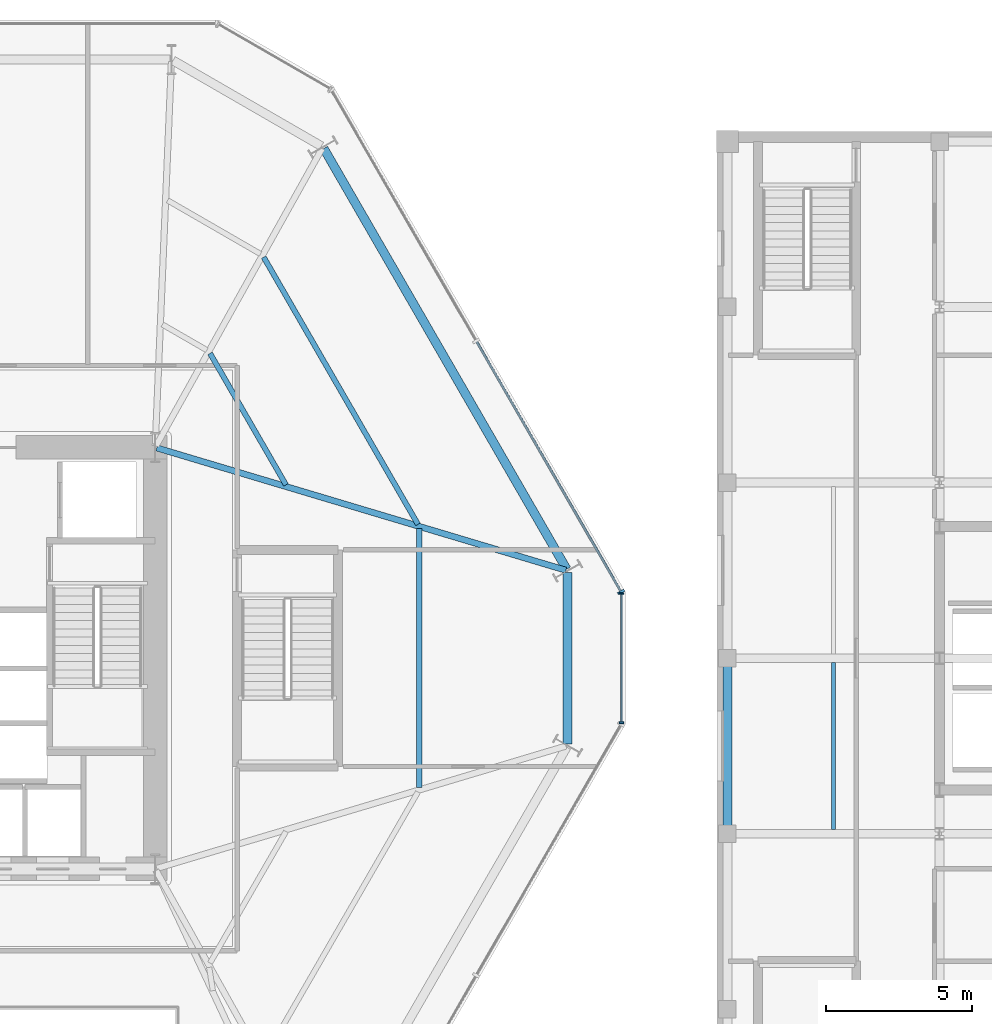
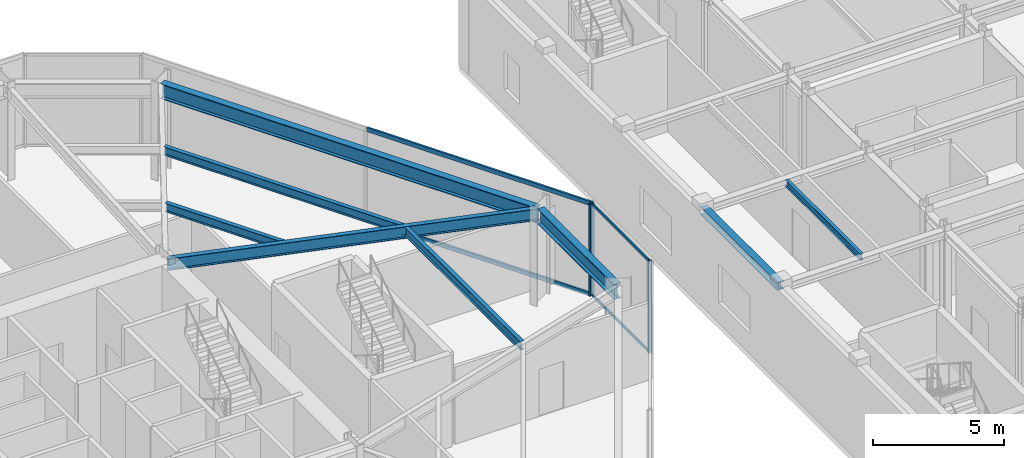
# One storey, part 10 of 23: 8 beams, 7 members, 2 elements without a shape of their own.
"""IFC4 building model written with IfcOpenShell, lengths in metres."""

from ifc_helpers import new_model, si_unit, direction, frame, origin, origin_2d, place, context, subcontext, project, spatial, rectangle, i_section, extrude, material, layer, layer_set, material_profile, profile_set, type_object, element, aggregate, save


model = new_model("IFC4")

# Units and contexts
model_context = context("Model", 3, precision=1e-05, world=origin(), true_north=direction((0.0, 1.0)))
body_context = subcontext(model_context, "Body", "Model", "MODEL_VIEW")
ifc_project = project(units=[si_unit("LENGTHUNIT", "METRE"), si_unit("AREAUNIT", "SQUARE_METRE"), si_unit("VOLUMEUNIT", "CUBIC_METRE"), si_unit("PLANEANGLEUNIT", "RADIAN"), si_unit("MASSUNIT", "GRAM", prefix="KILO")], contexts=[model_context])

# Site, building, storey
site_placement = place(None, origin())
site = spatial("IfcSite", under=ifc_project, at=site_placement, CompositionType="ELEMENT")
building_placement = place(site_placement, origin())
building = spatial("IfcBuilding", under=site, at=building_placement, Name="Kranzbogen Civic Tower", CompositionType="ELEMENT")
storey_placement = place(building_placement, frame((0.0, 0.0, 14.39990234375)))
storey = spatial("IfcBuildingStorey", under=building, at=storey_placement, Name="L03", CompositionType="ELEMENT", Elevation=14.39990234375)

# Curtain wall, members
ifc_material_1 = material(Name="Pale Anodised Aluminium", Category="aluminium")
ifc_layer_1 = layer(ifc_material_1, 0.219970703125, Name="Pale Anodised Aluminium")
ifc_layer_set_1 = layer_set([ifc_layer_1], Name="Pale Anodised Aluminium")
curtain_wall_type_1 = type_object("IfcCurtainWallType", Name="Chamfer Facet Stick Curtain Wall System CW-06", PredefinedType="USERDEFINED", material=ifc_layer_set_1)
curtain_wall_1_placement = place(storey_placement, origin())
curtain_wall_1 = element("IfcCurtainWall", 1, at=curtain_wall_1_placement, inside=storey, type_object=curtain_wall_type_1, Name="L03 curtain wall CW-L03-C6", ObjectType="STICK CURTAIN WALL", PredefinedType="USERDEFINED")
ifc_material_profile_1 = material_profile(ifc_material_1, rectangle(XDim=0.06005859375, YDim=0.159912109375, at=origin_2d()), Name="ALU-M 60x160")
ifc_profile_set_1 = profile_set([ifc_material_profile_1], Name="Pale Anodised Aluminium")
member_type_1 = type_object("IfcMemberType", Name="Curtain Wall Mullion ALU-M 60x160", PredefinedType="MULLION", material=ifc_profile_set_1)
member_1_placement = place(storey_placement, frame((48.73388671875, 22.79296875, 0.0), z_axis=(0.0, 0.0, 1.0), x_axis=(0.0, 1.0, 0.0)))
member_1 = element("IfcMember", 2, at=member_1_placement, type_object=member_type_1, Name="CW-06 mullion 1", PredefinedType="MULLION", context=body_context, shape_type="SweptSolid", body=[
    extrude(rectangle(XDim=0.06005859375, YDim=0.159912109375, at=origin_2d()), origin(), (0.0, 0.0, 1.0), 4.300048828125),
])
member_2_placement = place(storey_placement, frame((48.73388671875, 27.20703125, 0.0), z_axis=(0.0, 0.0, 1.0), x_axis=(0.0, 1.0, 0.0)))
member_2 = element("IfcMember", 3, at=member_2_placement, type_object=member_type_1, Name="CW-06 mullion 2", PredefinedType="MULLION", context=body_context, shape_type="SweptSolid", body=[
    extrude(rectangle(XDim=0.06005859375, YDim=0.159912109375, at=origin_2d()), origin(), (0.0, 0.0, 1.0), 4.300048828125),
])

# Curtain wall, member
ifc_layer_2 = layer(ifc_material_1, 0.219970703125, Name="Pale Anodised Aluminium")
ifc_layer_set_2 = layer_set([ifc_layer_2], Name="Pale Anodised Aluminium")
curtain_wall_type_2 = type_object("IfcCurtainWallType", Name="Podium Stick Curtain Wall System CW-01", PredefinedType="USERDEFINED", material=ifc_layer_set_2)
curtain_wall_2_placement = place(storey_placement, origin())
curtain_wall_2 = element("IfcCurtainWall", 4, at=curtain_wall_2_placement, inside=storey, type_object=curtain_wall_type_2, Name="L03 curtain wall CW-L03-F1", ObjectType="STICK CURTAIN WALL", PredefinedType="USERDEFINED")
ifc_material_profile_2 = material_profile(ifc_material_1, rectangle(XDim=0.0849609375, YDim=0.260009765625, at=origin_2d()), Name="ALU-M 85x260")
ifc_profile_set_2 = profile_set([ifc_material_profile_2], Name="Pale Anodised Aluminium")
member_type_2 = type_object("IfcMemberType", Name="Curtain Wall Mullion ALU-M 85x260", PredefinedType="MULLION", material=ifc_profile_set_2)
member_3_placement = place(storey_placement, frame((48.718994140625, 27.262939453125, 0.0), z_axis=(0.0, 0.0, 1.0), x_axis=(-0.500005767433, 0.86602207393, 0.0)))
member_3 = element("IfcMember", 5, at=member_3_placement, type_object=member_type_2, Name="CW-01 mullion 1", PredefinedType="MULLION", context=body_context, shape_type="SweptSolid", body=[
    extrude(rectangle(XDim=0.0849609375, YDim=0.260009765625, at=origin_2d()), origin(), (0.0, 0.0, 1.0), 4.300048828125),
])

# Member
ifc_material_profile_3 = material_profile(ifc_material_1, rectangle(XDim=0.06005859375, YDim=0.1201171875, at=origin_2d()), Name="ALU-T 60x120")
ifc_profile_set_3 = profile_set([ifc_material_profile_3], Name="Pale Anodised Aluminium")
member_type_3 = type_object("IfcMemberType", Name="Curtain Wall Transom ALU-T 60x120", PredefinedType="USERDEFINED", material=ifc_profile_set_3)
member_4_placement = place(storey_placement, frame((48.73388671875, 22.822998046875, 0.030029296875), z_axis=(0.0, 1.0, 0.0), x_axis=(-1.0, 0.0, 0.0)))
member_4 = element("IfcMember", 6, at=member_4_placement, type_object=member_type_3, Name="CW-06 transom 1.1", ObjectType="TRANSOM", PredefinedType="USERDEFINED", context=body_context, shape_type="SweptSolid", body=[
    extrude(rectangle(XDim=0.06005859375, YDim=0.1201171875, at=origin_2d()), origin(), (0.0, 0.0, 1.0), 4.35400390625),
])

member_5_placement = place(storey_placement, frame((48.73388671875, 22.822998046875, 4.27001953125), z_axis=(0.0, 1.0, 0.0), x_axis=(-1.0, 0.0, 0.0)))
member_5 = element("IfcMember", 7, at=member_5_placement, type_object=member_type_3, Name="CW-06 transom 1.2", ObjectType="TRANSOM", PredefinedType="USERDEFINED", context=body_context, shape_type="SweptSolid", body=[
    extrude(rectangle(XDim=0.06005859375, YDim=0.1201171875, at=origin_2d()), origin(), (0.0, 0.0, 1.0), 4.35400390625),
])

aggregate(curtain_wall_1, [member_1, member_2, member_4, member_5])

ifc_material_profile_4 = material_profile(ifc_material_1, rectangle(XDim=0.0849609375, YDim=0.195068359375, at=origin_2d()), Name="ALU-T 85x195")
ifc_profile_set_4 = profile_set([ifc_material_profile_4], Name="Pale Anodised Aluminium")
member_type_4 = type_object("IfcMemberType", Name="Curtain Wall Transom ALU-T 85x195", PredefinedType="USERDEFINED", material=ifc_profile_set_4)
member_6_placement = place(storey_placement, frame((48.7041015625, 27.2890625, 0.030029296875), z_axis=(-0.500021701106, 0.866012874282, 0.0), x_axis=(-0.866012874282, -0.500021701106, 0.0)))
member_6 = element("IfcMember", 8, at=member_6_placement, type_object=member_type_4, Name="CW-01 transom 1.1", ObjectType="TRANSOM", PredefinedType="USERDEFINED", context=body_context, shape_type="SweptSolid", body=[
    extrude(rectangle(XDim=0.0849609375, YDim=0.195068359375, at=origin_2d()), origin(), (0.0, 0.0, 1.0), 9.83984375),
])

member_7_placement = place(storey_placement, frame((48.7041015625, 27.2890625, 4.27001953125), z_axis=(-0.500021701106, 0.866012874282, 0.0), x_axis=(-0.866012874282, -0.500021701106, 0.0)))
member_7 = element("IfcMember", 9, at=member_7_placement, type_object=member_type_4, Name="CW-01 transom 1.2", ObjectType="TRANSOM", PredefinedType="USERDEFINED", context=body_context, shape_type="SweptSolid", body=[
    extrude(rectangle(XDim=0.0849609375, YDim=0.195068359375, at=origin_2d()), origin(), (0.0, 0.0, 1.0), 9.83984375),
])

aggregate(curtain_wall_2, [member_3, member_6, member_7])

# Beams
ifc_material_2 = material(Name="Steel S355", Category="steel")
ifc_material_profile_5 = material_profile(ifc_material_2, i_section(OverallWidth=0.300048828125, OverallDepth=0.360107421875, WebThickness=0.012451171875, FlangeThickness=0.0224609375, at=origin_2d()), Name="HEB 360")
ifc_profile_set_5 = profile_set([ifc_material_profile_5], Name="Steel S355")
beam_type_1 = type_object("IfcBeamType", Name="Health Centre Primary Floor Beam HEB 360", PredefinedType="BEAM", material=ifc_profile_set_5)
beam_1_placement = place(storey_placement, frame((52.35009765625, 19.06005859375, 4.1201171875), z_axis=(0.0, 1.0, 0.0), x_axis=(-1.0, 0.0, 0.0)))
element("IfcBeam", 10, at=beam_1_placement, inside=storey, type_object=beam_type_1, Name="L03 Health Centre Y girder 1-3", PredefinedType="BEAM", context=body_context, shape_type="SweptSolid", body=[
    extrude(i_section(OverallWidth=0.300048828125, OverallDepth=0.360107421875, WebThickness=0.012451171875, FlangeThickness=0.0224609375, at=origin_2d()), origin(), (0.0, 0.0, 1.0), 5.8798828125),
])
ifc_material_profile_6 = material_profile(ifc_material_2, i_section(OverallWidth=0.14990234375, OverallDepth=0.300048828125, WebThickness=0.007080078125, FlangeThickness=0.0107421875, at=origin_2d()), Name="IPE 300")
ifc_profile_set_6 = profile_set([ifc_material_profile_6], Name="Steel S355")
beam_type_2 = type_object("IfcBeamType", Name="Health Centre Secondary Joist IPE 300", PredefinedType="JOIST", material=ifc_profile_set_6)
beam_2_placement = place(storey_placement, frame((55.97509765625, 19.139892578125, 4.150146484375), z_axis=(0.0, 1.0, 0.0), x_axis=(-1.0, 0.0, 0.0)))
element("IfcBeam", 11, at=beam_2_placement, inside=storey, type_object=beam_type_2, Name="L03 Health Centre secondary joist 1-3", PredefinedType="JOIST", context=body_context, shape_type="SweptSolid", body=[
    extrude(i_section(OverallWidth=0.14990234375, OverallDepth=0.300048828125, WebThickness=0.007080078125, FlangeThickness=0.0107421875, at=origin_2d()), origin(), (0.0, 0.0, 1.0), 5.72021484375),
])
ifc_material_profile_7 = material_profile(ifc_material_2, i_section(OverallWidth=0.300048828125, OverallDepth=0.699951171875, WebThickness=0.01708984375, FlangeThickness=0.031982421875, at=origin_2d()), Name="HEB 700")
ifc_profile_set_7 = profile_set([ifc_material_profile_7], Name="Steel S355")
beam_type_3 = type_object("IfcBeamType", Name="Perimeter Tube Spandrel Beam HEB 700", PredefinedType="SPANDREL", material=ifc_profile_set_7)
beam_3_placement = place(storey_placement, frame((46.889892578125, 22.073974609375, 3.9501953125), z_axis=(0.0, 1.0, 0.0), x_axis=(-1.0, 0.0, 0.0)))
element("IfcBeam", 12, at=beam_3_placement, inside=storey, type_object=beam_type_3, Name="L03 perimeter spandrel beam 06", PredefinedType="SPANDREL", context=body_context, shape_type="SweptSolid", body=[
    extrude(i_section(OverallWidth=0.300048828125, OverallDepth=0.699951171875, WebThickness=0.01708984375, FlangeThickness=0.031982421875, at=origin_2d()), origin(), (0.0, 0.0, 1.0), 5.85205078125),
])
beam_4_placement = place(storey_placement, frame((46.860107421875, 28.0380859375, 3.9501953125), z_axis=(-0.500010210561, 0.866019508634, 0.0), x_axis=(-0.866019508634, -0.500010210561, 0.0)))
element("IfcBeam", 13, at=beam_4_placement, inside=storey, type_object=beam_type_3, Name="L03 perimeter spandrel beam 07", PredefinedType="SPANDREL", context=body_context, shape_type="SweptSolid", body=[
    extrude(i_section(OverallWidth=0.300048828125, OverallDepth=0.699951171875, WebThickness=0.01708984375, FlangeThickness=0.031982421875, at=origin_2d()), origin(), (0.0, 0.0, 1.0), 16.597900390625),
])
ifc_material_profile_8 = material_profile(ifc_material_2, i_section(OverallWidth=0.2099609375, OverallDepth=0.550048828125, WebThickness=0.010986328125, FlangeThickness=0.01708984375, at=origin_2d()), Name="IPE 550")
ifc_profile_set_8 = profile_set([ifc_material_profile_8], Name="Steel S355")
beam_type_4 = type_object("IfcBeamType", Name="Radial Tower Floor Girder IPE 550", PredefinedType="BEAM", material=ifc_profile_set_8)
beam_5_placement = place(storey_placement, frame((46.8330078125, 28.0029296875, 4.025146484375), z_axis=(-0.958064557048, 0.286552446385, 0.0), x_axis=(-0.286552446385, -0.958064557048, 0.0)))
element("IfcBeam", 14, at=beam_5_placement, inside=storey, type_object=beam_type_4, Name="L03 radial floor girder 07", PredefinedType="BEAM", context=body_context, shape_type="SweptSolid", body=[
    extrude(i_section(OverallWidth=0.2099609375, OverallDepth=0.550048828125, WebThickness=0.010986328125, FlangeThickness=0.01708984375, at=origin_2d()), origin(), (0.0, 0.0, 1.0), 14.587890625),
])
ifc_material_profile_9 = material_profile(ifc_material_2, i_section(OverallWidth=0.179931640625, OverallDepth=0.39990234375, WebThickness=0.008544921875, FlangeThickness=0.013427734375, at=origin_2d()), Name="IPE 400")
ifc_profile_set_9 = profile_set([ifc_material_profile_9], Name="Steel S355")
beam_type_5 = type_object("IfcBeamType", Name="Secondary Composite Floor Joist IPE 400", PredefinedType="JOIST", material=ifc_profile_set_9)
beam_6_placement = place(storey_placement, frame((41.818115234375, 20.576904296875, 4.10009765625), z_axis=(0.0, 1.0, 0.0), x_axis=(-1.0, 0.0, 0.0)))
element("IfcBeam", 15, at=beam_6_placement, inside=storey, type_object=beam_type_5, Name="L03 secondary floor joist 1.06", PredefinedType="JOIST", context=body_context, shape_type="SweptSolid", body=[
    extrude(i_section(OverallWidth=0.179931640625, OverallDepth=0.39990234375, WebThickness=0.008544921875, FlangeThickness=0.013427734375, at=origin_2d()), origin(), (0.0, 0.0, 1.0), 8.84619140625),
])
beam_7_placement = place(storey_placement, frame((41.778076171875, 29.572021484375, 4.10009765625), z_axis=(-0.500000488781, 0.866025121586, 0.0), x_axis=(-0.866025121586, -0.500000488781, 0.0)))
element("IfcBeam", 16, at=beam_7_placement, inside=storey, type_object=beam_type_5, Name="L03 secondary floor joist 1.07", PredefinedType="JOIST", context=body_context, shape_type="SweptSolid", body=[
    extrude(i_section(OverallWidth=0.179931640625, OverallDepth=0.39990234375, WebThickness=0.008544921875, FlangeThickness=0.013427734375, at=origin_2d()), origin(), (0.0, 0.0, 1.0), 10.5400390625),
])
beam_8_placement = place(storey_placement, frame((37.26904296875, 30.9208984375, 4.10009765625), z_axis=(-0.500040090343, 0.866002256377, 0.0), x_axis=(-0.866002256377, -0.500040090343, 0.0)))
element("IfcBeam", 17, at=beam_8_placement, inside=storey, type_object=beam_type_5, Name="L03 secondary floor joist 2.07", PredefinedType="JOIST", context=body_context, shape_type="SweptSolid", body=[
    extrude(i_section(OverallWidth=0.179931640625, OverallDepth=0.39990234375, WebThickness=0.008544921875, FlangeThickness=0.013427734375, at=origin_2d()), origin(), (0.0, 0.0, 1.0), 5.189453125),
])

save(model, "model.ifc")
